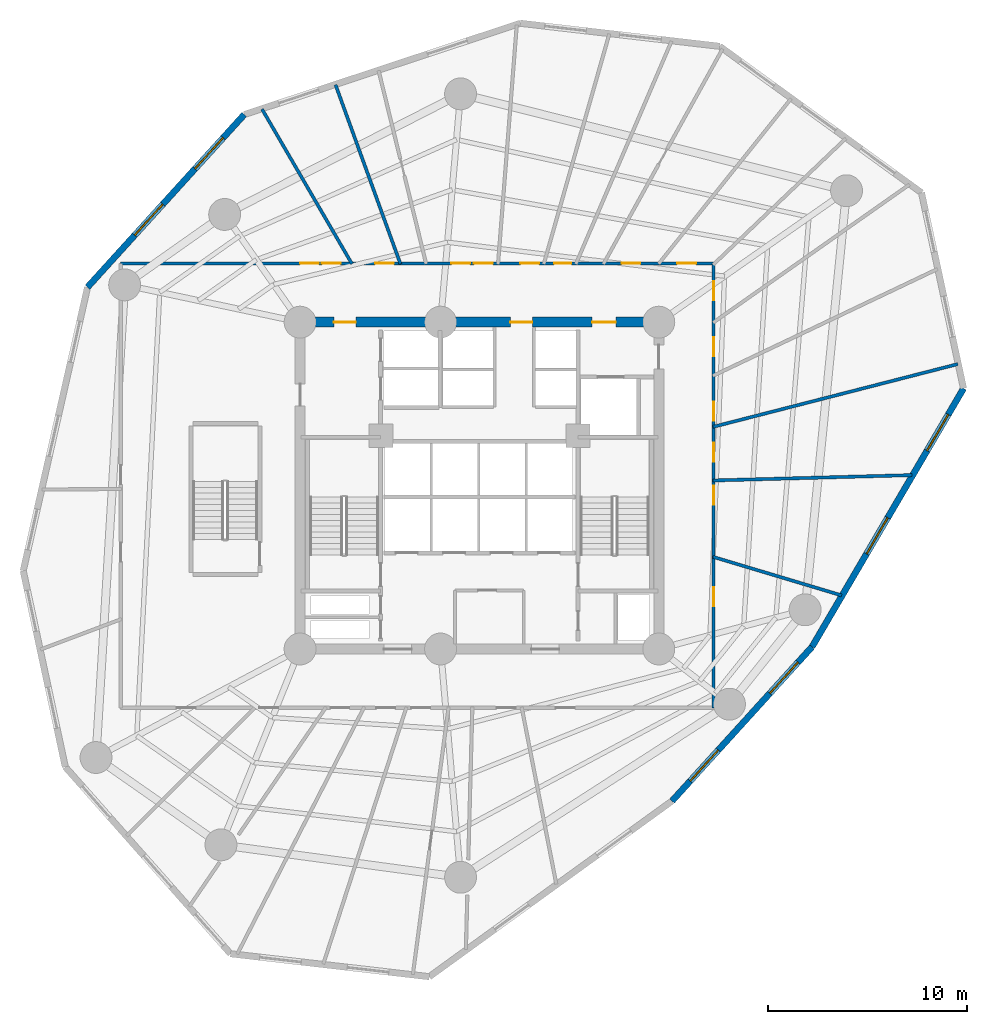
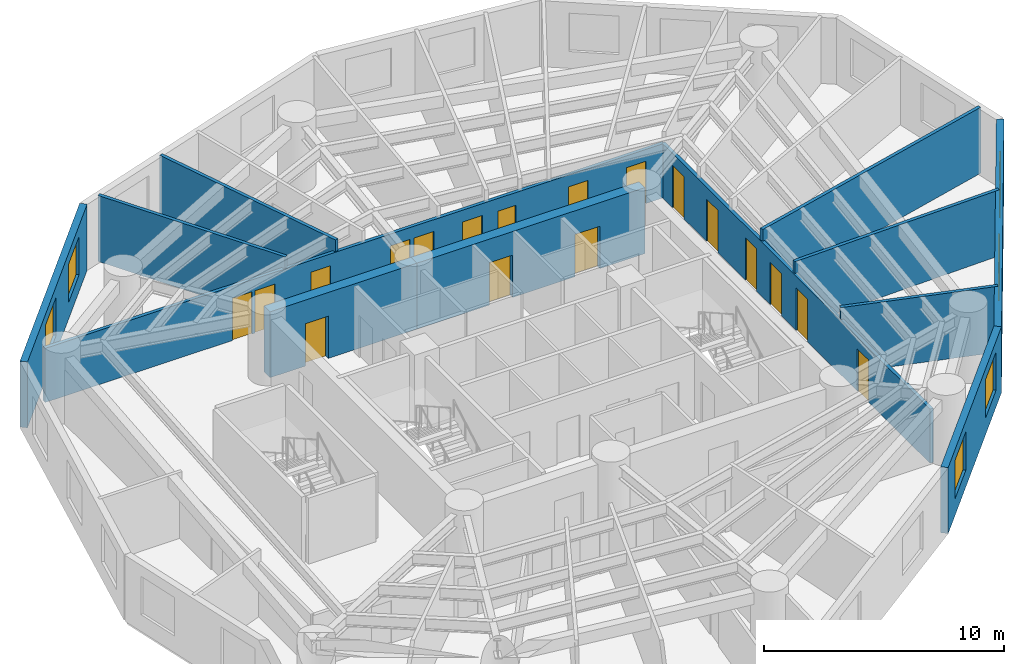
# One storey, part 5 of 7: 18 doors, 12 walls, 6 windows, 24 openings.
"""IFC4 building model written with IfcOpenShell, lengths in metres."""

import ifcopenshell
import ifcopenshell.guid

model = None  # the IFC model being written
_history = None  # IfcOwnerHistory: only IFC2X3 demands one
_inside = {}  # id of a spatial element -> (the spatial element, [elements in it])
_under = {}  # id of a project, library or spatial element -> (it, [spatial elements below it])
_declared = {}  # id of a project -> (the project, [libraries it declares])
_typed = {}  # id of a type object -> (the type object, [elements of that type])
_made_of = {}  # id of a material, layer set ... -> (it, [elements and type objects made of it])


def new_model(schema):
    """Start an empty IFC model of exactly this schema.

    Asked for "IFC4X3", IfcOpenShell would pick the latest addendum, in which some entities
    have other attributes; the version numbers below select the first issue.
    IFC2X3 requires an IfcOwnerHistory on every rooted entity: one is made here for all.
    """
    global model, _history
    if schema == "IFC4X3":
        model = ifcopenshell.file(schema_version=(4, 3, 0, 0))
    else:
        model = ifcopenshell.file(schema=schema)
    _inside.clear()
    _under.clear()
    _declared.clear()
    _typed.clear()
    _made_of.clear()
    _history = None
    if model.schema == "IFC2X3":
        org = make("IfcOrganization", Name="unknown")
        user = make(
            "IfcPersonAndOrganization",
            ThePerson=make("IfcPerson", FamilyName="unknown"),
            TheOrganization=org,
        )
        app = make(
            "IfcApplication",
            ApplicationDeveloper=org,
            Version="unknown",
            ApplicationFullName="unknown",
            ApplicationIdentifier="unknown",
        )
        _history = make(
            "IfcOwnerHistory",
            OwningUser=user,
            OwningApplication=app,
            ChangeAction="ADDED",
            CreationDate=0,
        )
    return model


def make(cls, **values):
    """One entity of the class cls with the attributes given. An attribute that is None is left unset."""
    return model.create_entity(
        cls, **{name: value for name, value in values.items() if value is not None}
    )


def rooted(cls, **values):
    """An entity with a GlobalId (a new one), such as an element, a storey or a relation."""
    return make(cls, GlobalId=ifcopenshell.guid.new(), OwnerHistory=_history, **values)


def si_unit(unit_type, name, prefix=None):
    """IfcSIUnit, for example si_unit("LENGTHUNIT", "METRE", prefix="MILLI")."""
    return make("IfcSIUnit", UnitType=unit_type, Prefix=prefix, Name=name)


def assignment(units):
    """IfcUnitAssignment: the units of a project."""
    return None if units is None else make("IfcUnitAssignment", Units=units)


def point(xyz):
    """IfcCartesianPoint."""
    return None if xyz is None else make("IfcCartesianPoint", Coordinates=xyz)


def direction(xyz):
    """IfcDirection."""
    return None if xyz is None else make("IfcDirection", DirectionRatios=xyz)


def frame(location, z_axis=None, x_axis=None):
    """IfcAxis2Placement3D, a coordinate frame: its origin and axes. An axis left out is left unset."""
    return make(
        "IfcAxis2Placement3D",
        Location=point(location),
        Axis=direction(z_axis),
        RefDirection=direction(x_axis),
    )


def frame_2d(location, x_axis=None):
    """IfcAxis2Placement2D, a coordinate frame in the plane: its origin and x axis."""
    return make(
        "IfcAxis2Placement2D", Location=point(location), RefDirection=direction(x_axis)
    )


def origin():
    """The frame at (0, 0, 0) with its axes left unset."""
    return frame((0.0, 0.0, 0.0))


def origin_with_axes():
    """The frame at (0, 0, 0) with the z axis (0, 0, 1) and the x axis (1, 0, 0) written out."""
    return frame((0.0, 0.0, 0.0), z_axis=(0.0, 0.0, 1.0), x_axis=(1.0, 0.0, 0.0))


def place(relative_to, where):
    """IfcLocalPlacement: puts the frame where relative to a parent placement (None: the world)."""
    return make(
        "IfcLocalPlacement", PlacementRelTo=relative_to, RelativePlacement=where
    )


def context(
    kind, dimensions, precision=None, world=None, true_north=None, identifier=None
):
    """IfcGeometricRepresentationContext, for example the 3D "Model" context."""
    return make(
        "IfcGeometricRepresentationContext",
        ContextIdentifier=identifier,
        ContextType=kind,
        CoordinateSpaceDimension=dimensions,
        Precision=precision,
        WorldCoordinateSystem=world,
        TrueNorth=true_north,
    )


def subcontext(parent, identifier, kind, view, scale=None):
    """IfcGeometricRepresentationSubContext, for example "Body" below "Model"."""
    return make(
        "IfcGeometricRepresentationSubContext",
        ContextIdentifier=identifier,
        ContextType=kind,
        ParentContext=parent,
        TargetScale=scale,
        TargetView=view,
    )


def project(units=None, contexts=None):
    """IfcProject with its units and contexts."""
    return rooted(
        "IfcProject",
        Name="project",
        RepresentationContexts=contexts,
        UnitsInContext=assignment(units),
    )


def spatial(cls, under=None, at=None, **own):
    """A site, building, storey or space (cls), placed at a placement, below another one or the project."""
    s = rooted(cls, ObjectPlacement=at, **own)
    if under is not None:
        _under.setdefault(under.id(), (under, []))[1].append(s)
    return s


def profile(cls, at=None, kind="AREA", **sizes):
    """A parametric profile (cls). Its sizes go by their IFC names, for example OverallWidth=200.0."""
    return make(cls, ProfileType=kind, Position=at, **sizes)


def rectangle(**sizes):
    """IfcRectangleProfileDef."""
    return profile("IfcRectangleProfileDef", **sizes)


def extrude(swept, where, along, depth):
    """IfcExtrudedAreaSolid: the profile swept, set in the frame where, extruded along a direction by depth."""
    return make(
        "IfcExtrudedAreaSolid",
        SweptArea=swept,
        Position=where,
        ExtrudedDirection=direction(along),
        Depth=depth,
    )


def shape(context_of_items, identifier, shape_type, items):
    """IfcShapeRepresentation: the items that make up one representation, for example the "Body"."""
    return make(
        "IfcShapeRepresentation",
        ContextOfItems=context_of_items,
        RepresentationIdentifier=identifier,
        RepresentationType=shape_type,
        Items=items,
    )


def source(mapping_origin, context_of_items, identifier, shape_type, items):
    """IfcRepresentationMap: a shape defined once, which mapped items show again and again."""
    return make(
        "IfcRepresentationMap",
        MappingOrigin=mapping_origin,
        MappedRepresentation=shape(context_of_items, identifier, shape_type, items),
    )


def transform(
    local_origin,
    x_axis=None,
    y_axis=None,
    z_axis=None,
    scale=None,
    scale2=None,
    scale3=None,
    uniform=True,
):
    """IfcCartesianTransformationOperator3D, or its non-uniform kind. x_axis, y_axis, z_axis: its Axis1, 2, 3."""
    if uniform:
        return make(
            "IfcCartesianTransformationOperator3D",
            Axis1=direction(x_axis),
            Axis2=direction(y_axis),
            LocalOrigin=point(local_origin),
            Scale=scale,
            Axis3=direction(z_axis),
        )
    return make(
        "IfcCartesianTransformationOperator3DnonUniform",
        Axis1=direction(x_axis),
        Axis2=direction(y_axis),
        LocalOrigin=point(local_origin),
        Scale=scale,
        Axis3=direction(z_axis),
        Scale2=scale2,
        Scale3=scale3,
    )


def mapped(mapping_source, mapping_target):
    """IfcMappedItem: shows the shape of a source again, moved by a transform."""
    return make(
        "IfcMappedItem", MappingSource=mapping_source, MappingTarget=mapping_target
    )


def material(Name=None, Category=None):
    """IfcMaterial."""
    return make("IfcMaterial", Name=Name, Category=Category)


def layer(
    of_material, thickness, ventilated=None, Name=None, Category=None, Priority=None
):
    """IfcMaterialLayer: one layer of a wall or slab, of a material (None: an air gap)."""
    return make(
        "IfcMaterialLayer",
        Material=of_material,
        LayerThickness=thickness,
        IsVentilated=ventilated,
        Name=Name,
        Category=Category,
        Priority=Priority,
    )


def layer_set(layers, Name=None):
    """IfcMaterialLayerSet."""
    return make("IfcMaterialLayerSet", MaterialLayers=layers, LayerSetName=Name)


def made_of(thing, what):
    """Note that an element or type object is made of a material, layer set ...; save() writes the relation."""
    if what is not None:
        _made_of.setdefault(what.id(), (what, []))[1].append(thing)
    return thing


def type_object(cls, material=None, **own):
    """A type object (cls), such as IfcWallType, which elements share."""
    return made_of(rooted(cls, **own), material)


def element(
    cls,
    number,
    at=None,
    inside=None,
    cuts=None,
    type_object=None,
    material=None,
    context=None,
    identifier="Body",
    shape_type=None,
    held_by="IfcProductDefinitionShape",
    body=None,
    shapes=None,
    **own,
):
    """One element of the class cls, such as IfcWall. Its Tag is "e" and its number.

    at: its placement. inside: the storey or other place that contains it. cuts: it is an
    opening in that element (IfcRelVoidsElement). A single representation is given by context,
    identifier, shape_type and body (its items); several are given by shapes. held_by: the class
    of the entity that holds the representations. save() writes the other relations.
    """
    e = rooted(cls, Tag="e%d" % number, ObjectPlacement=at, **own)
    if body is not None:
        shapes = [shape(context, identifier, shape_type, body)]
    if shapes is not None:
        e.Representation = make(held_by, Representations=shapes)
    if inside is not None:
        _inside.setdefault(inside.id(), (inside, []))[1].append(e)
    if cuts is not None:
        rooted(
            "IfcRelVoidsElement", RelatingBuildingElement=cuts, RelatedOpeningElement=e
        )
    if type_object is not None:
        _typed.setdefault(type_object.id(), (type_object, []))[1].append(e)
    return made_of(e, material)


def fill(opening, filler):
    """IfcRelFillsElement: the door or window that sits in an opening."""
    return rooted(
        "IfcRelFillsElement",
        RelatingOpeningElement=opening,
        RelatedBuildingElement=filler,
    )


def aggregate(whole, parts):
    """IfcRelAggregates: a whole, such as a stair, and the parts it consists of."""
    return rooted("IfcRelAggregates", RelatingObject=whole, RelatedObjects=parts)


def save(model, path):
    """Write the relations noted so far, then the file.

    IfcRelAggregates (storeys below a building ...), IfcRelContainedInSpatialStructure (elements
    in a storey), IfcRelDefinesByType, IfcRelAssociatesMaterial and IfcRelDeclares: one each for
    every whole, place, type object, material and project.
    """
    for whole, parts in _under.values():
        aggregate(whole, parts)
    for where, things in _inside.values():
        rooted(
            "IfcRelContainedInSpatialStructure",
            RelatedElements=things,
            RelatingStructure=where,
        )
    for kind, things in _typed.values():
        rooted("IfcRelDefinesByType", RelatedObjects=things, RelatingType=kind)
    for what, things in _made_of.values():
        rooted("IfcRelAssociatesMaterial", RelatedObjects=things, RelatingMaterial=what)
    for by, libraries in _declared.values():
        rooted("IfcRelDeclares", RelatingContext=by, RelatedDefinitions=libraries)
    model.write(path)


model = new_model("IFC4")

# Units and contexts
model_context = context("Model", 3, precision=1e-05, world=origin(), true_north=direction((0.0, 1.0)))
body_context = subcontext(model_context, "Body", "Model", "MODEL_VIEW")
ifc_project = project(units=[si_unit("LENGTHUNIT", "METRE"), si_unit("AREAUNIT", "SQUARE_METRE"), si_unit("VOLUMEUNIT", "CUBIC_METRE"), si_unit("PLANEANGLEUNIT", "RADIAN"), si_unit("MASSUNIT", "GRAM", prefix="KILO")], contexts=[model_context])

# Site, building, storey
site_placement = place(None, origin())
site = spatial("IfcSite", under=ifc_project, at=site_placement, CompositionType="ELEMENT")
building_placement = place(site_placement, origin())
building = spatial("IfcBuilding", under=site, at=building_placement, Name="Karkom Vertical University and Central Library", CompositionType="ELEMENT")
storey_placement = place(building_placement, frame((0.0, 0.0, 80.5)))
storey = spatial("IfcBuildingStorey", under=building, at=storey_placement, Name="L21", CompositionType="ELEMENT", Elevation=80.5)

# Wall, openings, windows
ifc_material_1 = material(Name="Brick-faced precast concrete C45/55", Category="masonry")
ifc_layer_1 = layer(ifc_material_1, 0.320068359375)
ifc_layer_set_1 = layer_set([ifc_layer_1], Name="Brick-faced precast concrete C45/55")
wall_type_1 = type_object("IfcWallType", Name="ENV-WL-BRK-320", PredefinedType="SOLIDWALL", material=ifc_layer_set_1)
wall_1_placement = place(storey_placement, frame((16.7001953125, 45.12158203125, 0.0), z_axis=(0.0, 0.0, 1.0), x_axis=(-0.672245062505, -0.740328694525, 0.0)))
wall_1 = element("IfcWall", 1, at=wall_1_placement, inside=storey, type_object=wall_type_1, Name="Level 21 Brick-Faced Precast Facade Wall 01", PredefinedType="SOLIDWALL", context=body_context, shape_type="SweptSolid", body=[
    extrude(rectangle(XDim=11.7080078125, YDim=0.320068359375, at=frame_2d((5.85400390625, 0.0))), origin(), (0.0, 0.0, 1.0), 3.35009765625),
])
opening_1_placement = place(wall_1_placement, frame((1.579833984375, 0.0, 0.85009765625)))
opening_1 = element("IfcOpeningElement", 2, at=opening_1_placement, cuts=wall_1, Name="Opening WN-03", PredefinedType="OPENING", context=body_context, shape_type="SweptSolid", body=[
    extrude(rectangle(XDim=2.10009765625, YDim=1.949951171875, at=frame_2d((1.050048828125, 0.97509765625))), frame((0.0, 0.169921875, 0.0), z_axis=(0.0, -1.0, 0.0), x_axis=(1.0, 0.0, 0.0)), (0.0, 0.0, 1.0), 0.340087890625),
])
opening_2_placement = place(wall_1_placement, frame((6.07958984375, 0.0, 0.85009765625)))
opening_2 = element("IfcOpeningElement", 3, at=opening_2_placement, cuts=wall_1, Name="Opening WN-03", PredefinedType="OPENING", context=body_context, shape_type="SweptSolid", body=[
    extrude(rectangle(XDim=2.10009765625, YDim=1.949951171875, at=frame_2d((1.050048828125, 0.97509765625))), frame((0.0, 0.169921875, 0.0), z_axis=(0.0, -1.0, 0.0), x_axis=(1.0, 0.0, 0.0)), (0.0, 0.0, 1.0), 0.340087890625),
])
ifc_material_2 = material(Name="Aluminium thermal-break frame with solar-control IGU", Category="aluminium")
window_type = type_object("IfcWindowType", Name="ENV-WIN-WN-03", PartitioningType="SINGLE_PANEL", PredefinedType="WINDOW", material=ifc_material_2)
shared_shape_1 = source(origin_with_axes(), body_context, "Body", "SweptSolid", [
    extrude(rectangle(XDim=2.10009765625, YDim=1.949951171875, at=frame_2d((1.050048828125, 0.97509765625))), frame((0.0, 0.030029296875, 0.0), z_axis=(0.0, -1.0, 0.0), x_axis=(1.0, 0.0, 0.0)), (0.0, 0.0, 1.0), 0.06005859375),
])
window_1_placement = place(opening_1_placement, origin())
window_1 = element("IfcWindow", 4, at=window_1_placement, inside=storey, type_object=window_type, Name="Level 21 Punched Window 1.1", OverallHeight=1.949951171875, OverallWidth=2.10009765625, PartitioningType="SINGLE_PANEL", PredefinedType="WINDOW", context=body_context, shape_type="MappedRepresentation", body=[
    mapped(shared_shape_1, transform((0.0, 0.0, 0.0), scale=1.0)),
])
fill(opening_1, window_1)
window_2_placement = place(opening_2_placement, origin())
window_2 = element("IfcWindow", 5, at=window_2_placement, inside=storey, type_object=window_type, Name="Level 21 Punched Window 1.2", OverallHeight=1.949951171875, OverallWidth=2.10009765625, PartitioningType="SINGLE_PANEL", PredefinedType="WINDOW", context=body_context, shape_type="MappedRepresentation", body=[
    mapped(shared_shape_1, transform((0.0, 0.0, 0.0), scale=1.0)),
])
fill(opening_2, window_2)

wall_2_placement = place(storey_placement, frame((38.161865234375, 10.667236328125, 0.0), z_axis=(0.0, 0.0, 1.0), x_axis=(0.672233243832, 0.740339426133, 0.0)))
wall_2 = element("IfcWall", 6, at=wall_2_placement, inside=storey, type_object=wall_type_1, Name="Level 21 Brick-Faced Precast Facade Wall 07", PredefinedType="SOLIDWALL", context=body_context, shape_type="SweptSolid", body=[
    extrude(rectangle(XDim=10.452880859375, YDim=0.320068359375, at=frame_2d((5.2265625, 0.0))), origin(), (0.0, 0.0, 1.0), 3.35009765625),
])
opening_3_placement = place(wall_2_placement, frame((1.359619140625, 0.0, 0.85009765625)))
opening_3 = element("IfcOpeningElement", 7, at=opening_3_placement, cuts=wall_2, Name="Opening WN-03", PredefinedType="OPENING", context=body_context, shape_type="SweptSolid", body=[
    extrude(rectangle(XDim=2.10009765625, YDim=1.949951171875, at=frame_2d((1.050048828125, 0.97509765625))), frame((0.0, 0.169921875, 0.0), z_axis=(0.0, -1.0, 0.0), x_axis=(1.0, 0.0, 0.0)), (0.0, 0.0, 1.0), 0.340087890625),
])
opening_4_placement = place(wall_2_placement, frame((7.305908203125, 0.0, 0.85009765625)))
opening_4 = element("IfcOpeningElement", 8, at=opening_4_placement, cuts=wall_2, Name="Opening WN-03", PredefinedType="OPENING", context=body_context, shape_type="SweptSolid", body=[
    extrude(rectangle(XDim=2.10009765625, YDim=1.949951171875, at=frame_2d((1.050048828125, 0.97509765625))), frame((0.0, 0.169921875, 0.0), z_axis=(0.0, -1.0, 0.0), x_axis=(1.0, 0.0, 0.0)), (0.0, 0.0, 1.0), 0.340087890625),
])
window_3_placement = place(opening_3_placement, origin())
window_3 = element("IfcWindow", 9, at=window_3_placement, inside=storey, type_object=window_type, Name="Level 21 Punched Window 7.1", OverallHeight=1.949951171875, OverallWidth=2.10009765625, PartitioningType="SINGLE_PANEL", PredefinedType="WINDOW", context=body_context, shape_type="MappedRepresentation", body=[
    mapped(shared_shape_1, transform((0.0, 0.0, 0.0), scale=1.0)),
])
fill(opening_3, window_3)
window_4_placement = place(opening_4_placement, origin())
window_4 = element("IfcWindow", 10, at=window_4_placement, inside=storey, type_object=window_type, Name="Level 21 Punched Window 7.2", OverallHeight=1.949951171875, OverallWidth=2.10009765625, PartitioningType="SINGLE_PANEL", PredefinedType="WINDOW", context=body_context, shape_type="MappedRepresentation", body=[
    mapped(shared_shape_1, transform((0.0, 0.0, 0.0), scale=1.0)),
])
fill(opening_4, window_4)

wall_3_placement = place(storey_placement, frame((45.188720703125, 18.406005859375, 0.0), z_axis=(0.0, 0.0, 1.0), x_axis=(0.505813260317, 0.862643000139, 0.0)))
wall_3 = element("IfcWall", 11, at=wall_3_placement, inside=storey, type_object=wall_type_1, Name="Level 21 Brick-Faced Precast Facade Wall 08", PredefinedType="SOLIDWALL", context=body_context, shape_type="SweptSolid", body=[
    extrude(rectangle(XDim=15.03515625, YDim=0.320068359375, at=frame_2d((7.517578125, 0.0))), origin(), (0.0, 0.0, 1.0), 3.35009765625),
])
opening_5_placement = place(wall_3_placement, frame((5.41162109375, 0.0, 0.85009765625)))
opening_5 = element("IfcOpeningElement", 12, at=opening_5_placement, cuts=wall_3, Name="Opening WN-03", PredefinedType="OPENING", context=body_context, shape_type="SweptSolid", body=[
    extrude(rectangle(XDim=2.10009765625, YDim=1.949951171875, at=frame_2d((1.050048828125, 0.97509765625))), frame((0.0, 0.169921875, 0.0), z_axis=(0.0, -1.0, 0.0), x_axis=(1.0, 0.0, 0.0)), (0.0, 0.0, 1.0), 0.340087890625),
])
opening_6_placement = place(wall_3_placement, frame((11.413818359375, 0.0, 0.85009765625)))
opening_6 = element("IfcOpeningElement", 13, at=opening_6_placement, cuts=wall_3, Name="Opening WN-03", PredefinedType="OPENING", context=body_context, shape_type="SweptSolid", body=[
    extrude(rectangle(XDim=2.10009765625, YDim=1.949951171875, at=frame_2d((1.050048828125, 0.97509765625))), frame((0.0, 0.169921875, 0.0), z_axis=(0.0, -1.0, 0.0), x_axis=(1.0, 0.0, 0.0)), (0.0, 0.0, 1.0), 0.340087890625),
])
window_5_placement = place(opening_5_placement, origin())
window_5 = element("IfcWindow", 14, at=window_5_placement, inside=storey, type_object=window_type, Name="Level 21 Punched Window 8.1", OverallHeight=1.949951171875, OverallWidth=2.10009765625, PartitioningType="SINGLE_PANEL", PredefinedType="WINDOW", context=body_context, shape_type="MappedRepresentation", body=[
    mapped(shared_shape_1, transform((0.0, 0.0, 0.0), scale=1.0)),
])
fill(opening_5, window_5)
window_6_placement = place(opening_6_placement, origin())
window_6 = element("IfcWindow", 15, at=window_6_placement, inside=storey, type_object=window_type, Name="Level 21 Punched Window 8.2", OverallHeight=1.949951171875, OverallWidth=2.10009765625, PartitioningType="SINGLE_PANEL", PredefinedType="WINDOW", context=body_context, shape_type="MappedRepresentation", body=[
    mapped(shared_shape_1, transform((0.0, 0.0, 0.0), scale=1.0)),
])
fill(opening_6, window_6)

# Wall, openings, doors
ifc_material_3 = material(Name="Insulated metal-stud drywall 160mm", Category="gypsum")
ifc_layer_2 = layer(ifc_material_3, 0.159912109375)
ifc_layer_set_2 = layer_set([ifc_layer_2], Name="Insulated metal-stud drywall 160mm")
wall_type_2 = type_object("IfcWallType", Name="INT-WL-COR-160", PredefinedType="PARTITIONING", material=ifc_layer_set_2)
wall_4_placement = place(storey_placement, frame((10.5, 37.64990234375, 0.0), z_axis=(0.0, 0.0, 1.0), x_axis=(1.0, 0.0, 0.0)))
wall_4 = element("IfcWall", 16, at=wall_4_placement, inside=storey, type_object=wall_type_2, Name="Level 21 Interior Partition Wall L21-CORW-CW-003", PredefinedType="PARTITIONING", context=body_context, shape_type="SweptSolid", body=[
    extrude(rectangle(XDim=29.75, YDim=0.159912109375, at=frame_2d((14.875, 0.0))), origin(), (0.0, 0.0, 1.0), 2.75),
])
opening_7_placement = place(wall_4_placement, frame((27.918212890625, 0.0, 0.0)))
opening_7 = element("IfcOpeningElement", 17, at=opening_7_placement, cuts=wall_4, Name="Opening D-RM1", PredefinedType="OPENING", context=body_context, shape_type="SweptSolid", body=[
    extrude(rectangle(XDim=0.949951171875, YDim=2.14990234375, at=frame_2d((0.47509765625, 1.074951171875))), frame((0.0, 0.08984375, 0.0), z_axis=(0.0, -1.0, 0.0), x_axis=(1.0, 0.0, 0.0)), (0.0, 0.0, 1.0), 0.179931640625),
])
opening_8_placement = place(wall_4_placement, frame((25.129150390625, 0.0, 0.0)))
opening_8 = element("IfcOpeningElement", 18, at=opening_8_placement, cuts=wall_4, Name="Opening D-RM1", PredefinedType="OPENING", context=body_context, shape_type="SweptSolid", body=[
    extrude(rectangle(XDim=0.949951171875, YDim=2.14990234375, at=frame_2d((0.47509765625, 1.074951171875))), frame((0.0, 0.08984375, 0.0), z_axis=(0.0, -1.0, 0.0), x_axis=(1.0, 0.0, 0.0)), (0.0, 0.0, 1.0), 0.179931640625),
])
opening_9_placement = place(wall_4_placement, frame((21.74755859375, 0.0, 0.0)))
opening_9 = element("IfcOpeningElement", 19, at=opening_9_placement, cuts=wall_4, Name="Opening D-BATH", PredefinedType="OPENING", context=body_context, shape_type="SweptSolid", body=[
    extrude(rectangle(XDim=0.860107421875, YDim=2.10009765625, at=frame_2d((0.43017578125, 1.050048828125))), frame((0.0, 0.08984375, 0.0), z_axis=(0.0, -1.0, 0.0), x_axis=(1.0, 0.0, 0.0)), (0.0, 0.0, 1.0), 0.179931640625),
])
opening_10_placement = place(wall_4_placement, frame((20.047607421875, 0.0, 0.0)))
opening_10 = element("IfcOpeningElement", 20, at=opening_10_placement, cuts=wall_4, Name="Opening D-RM1", PredefinedType="OPENING", context=body_context, shape_type="SweptSolid", body=[
    extrude(rectangle(XDim=0.949951171875, YDim=2.14990234375, at=frame_2d((0.47509765625, 1.074951171875))), frame((0.0, 0.08984375, 0.0), z_axis=(0.0, -1.0, 0.0), x_axis=(1.0, 0.0, 0.0)), (0.0, 0.0, 1.0), 0.179931640625),
])
opening_11_placement = place(wall_4_placement, frame((17.722412109375, 0.0, 0.0)))
opening_11 = element("IfcOpeningElement", 21, at=opening_11_placement, cuts=wall_4, Name="Opening D-RM1", PredefinedType="OPENING", context=body_context, shape_type="SweptSolid", body=[
    extrude(rectangle(XDim=0.949951171875, YDim=2.14990234375, at=frame_2d((0.47509765625, 1.074951171875))), frame((0.0, 0.08984375, 0.0), z_axis=(0.0, -1.0, 0.0), x_axis=(1.0, 0.0, 0.0)), (0.0, 0.0, 1.0), 0.179931640625),
])
opening_12_placement = place(wall_4_placement, frame((16.585205078125, 0.0, 0.0)))
opening_12 = element("IfcOpeningElement", 22, at=opening_12_placement, cuts=wall_4, Name="Opening D-RM1", PredefinedType="OPENING", context=body_context, shape_type="SweptSolid", body=[
    extrude(rectangle(XDim=0.949951171875, YDim=2.14990234375, at=frame_2d((0.47509765625, 1.074951171875))), frame((0.0, 0.08984375, 0.0), z_axis=(0.0, -1.0, 0.0), x_axis=(1.0, 0.0, 0.0)), (0.0, 0.0, 1.0), 0.179931640625),
])
opening_13_placement = place(wall_4_placement, frame((12.760009765625, 0.0, 0.0)))
opening_13 = element("IfcOpeningElement", 23, at=opening_13_placement, cuts=wall_4, Name="Opening D-RM1", PredefinedType="OPENING", context=body_context, shape_type="SweptSolid", body=[
    extrude(rectangle(XDim=0.949951171875, YDim=2.14990234375, at=frame_2d((0.47509765625, 1.074951171875))), frame((0.0, 0.08984375, 0.0), z_axis=(0.0, -1.0, 0.0), x_axis=(1.0, 0.0, 0.0)), (0.0, 0.0, 1.0), 0.179931640625),
])
opening_14_placement = place(wall_4_placement, frame((10.090087890625, 0.0, 0.0)))
opening_14 = element("IfcOpeningElement", 24, at=opening_14_placement, cuts=wall_4, Name="Opening D-RM1", PredefinedType="OPENING", context=body_context, shape_type="SweptSolid", body=[
    extrude(rectangle(XDim=0.949951171875, YDim=2.14990234375, at=frame_2d((0.47509765625, 1.074951171875))), frame((0.0, 0.08984375, 0.0), z_axis=(0.0, -1.0, 0.0), x_axis=(1.0, 0.0, 0.0)), (0.0, 0.0, 1.0), 0.179931640625),
])
opening_15_placement = place(wall_4_placement, frame((8.99755859375, 0.0, 0.0)))
opening_15 = element("IfcOpeningElement", 25, at=opening_15_placement, cuts=wall_4, Name="Opening D-RM1", PredefinedType="OPENING", context=body_context, shape_type="SweptSolid", body=[
    extrude(rectangle(XDim=0.949951171875, YDim=2.14990234375, at=frame_2d((0.47509765625, 1.074951171875))), frame((0.0, 0.08984375, 0.0), z_axis=(0.0, -1.0, 0.0), x_axis=(1.0, 0.0, 0.0)), (0.0, 0.0, 1.0), 0.179931640625),
])
ifc_material_4 = material(Name="Moisture-resistant oak door", Category="wood")
door_type_1 = type_object("IfcDoorType", Name="INT-DR-BATH", OperationType="NOTDEFINED", PredefinedType="DOOR", material=ifc_material_4)
shared_shape_2 = source(origin_with_axes(), body_context, "Body", "SweptSolid", [
    extrude(rectangle(XDim=0.860107421875, YDim=2.10009765625, at=frame_2d((0.43017578125, 1.050048828125))), frame((0.0, 0.02490234375, 0.0), z_axis=(0.0, -1.0, 0.0), x_axis=(1.0, 0.0, 0.0)), (0.0, 0.0, 1.0), 0.050048828125),
])
door_1_placement = place(opening_9_placement, origin())
door_1 = element("IfcDoor", 26, at=door_1_placement, inside=storey, type_object=door_type_1, Name="Level 21 Room Entry Door 170", OperationType="SINGLE_SWING_LEFT", OverallHeight=2.10009765625, OverallWidth=0.860107421875, PredefinedType="DOOR", context=body_context, shape_type="MappedRepresentation", body=[
    mapped(shared_shape_2, transform((0.0, 0.0, 0.0), scale=1.0)),
])
fill(opening_9, door_1)
ifc_material_5 = material(Name="Solid-core oak veneer door", Category="wood")
door_type_2 = type_object("IfcDoorType", Name="INT-DR-RM1", OperationType="NOTDEFINED", PredefinedType="DOOR", material=ifc_material_5)
shared_shape_3 = source(origin_with_axes(), body_context, "Body", "SweptSolid", [
    extrude(rectangle(XDim=0.949951171875, YDim=2.14990234375, at=frame_2d((0.47509765625, 1.074951171875))), frame((0.0, 0.02490234375, 0.0), z_axis=(0.0, -1.0, 0.0), x_axis=(1.0, 0.0, 0.0)), (0.0, 0.0, 1.0), 0.050048828125),
])
door_2_placement = place(opening_7_placement, origin())
door_2 = element("IfcDoor", 27, at=door_2_placement, inside=storey, type_object=door_type_2, Name="Level 21 Room Entry Door 150", OperationType="SINGLE_SWING_LEFT", OverallHeight=2.14990234375, OverallWidth=0.949951171875, PredefinedType="DOOR", context=body_context, shape_type="MappedRepresentation", body=[
    mapped(shared_shape_3, transform((0.0, 0.0, 0.0), scale=1.0)),
])
fill(opening_7, door_2)
door_3_placement = place(opening_8_placement, origin())
door_3 = element("IfcDoor", 28, at=door_3_placement, inside=storey, type_object=door_type_2, Name="Level 21 Room Entry Door 160", OperationType="SINGLE_SWING_RIGHT", OverallHeight=2.14990234375, OverallWidth=0.949951171875, PredefinedType="DOOR", context=body_context, shape_type="MappedRepresentation", body=[
    mapped(shared_shape_3, transform((0.0, 0.0, 0.0), scale=1.0)),
])
fill(opening_8, door_3)
door_4_placement = place(opening_10_placement, origin())
door_4 = element("IfcDoor", 29, at=door_4_placement, inside=storey, type_object=door_type_2, Name="Level 21 Room Entry Door 180", OperationType="SINGLE_SWING_RIGHT", OverallHeight=2.14990234375, OverallWidth=0.949951171875, PredefinedType="DOOR", context=body_context, shape_type="MappedRepresentation", body=[
    mapped(shared_shape_3, transform((0.0, 0.0, 0.0), scale=1.0)),
])
fill(opening_10, door_4)
door_5_placement = place(opening_11_placement, origin())
door_5 = element("IfcDoor", 30, at=door_5_placement, inside=storey, type_object=door_type_2, Name="Level 21 Room Entry Door 190", OperationType="SINGLE_SWING_LEFT", OverallHeight=2.14990234375, OverallWidth=0.949951171875, PredefinedType="DOOR", context=body_context, shape_type="MappedRepresentation", body=[
    mapped(shared_shape_3, transform((0.0, 0.0, 0.0), scale=1.0)),
])
fill(opening_11, door_5)
door_6_placement = place(opening_12_placement, origin())
door_6 = element("IfcDoor", 31, at=door_6_placement, inside=storey, type_object=door_type_2, Name="Level 21 Room Entry Door 200", OperationType="SINGLE_SWING_RIGHT", OverallHeight=2.14990234375, OverallWidth=0.949951171875, PredefinedType="DOOR", context=body_context, shape_type="MappedRepresentation", body=[
    mapped(shared_shape_3, transform((0.0, 0.0, 0.0), scale=1.0)),
])
fill(opening_12, door_6)
door_7_placement = place(opening_13_placement, origin())
door_7 = element("IfcDoor", 32, at=door_7_placement, inside=storey, type_object=door_type_2, Name="Level 21 Room Entry Door 210", OperationType="SINGLE_SWING_LEFT", OverallHeight=2.14990234375, OverallWidth=0.949951171875, PredefinedType="DOOR", context=body_context, shape_type="MappedRepresentation", body=[
    mapped(shared_shape_3, transform((0.0, 0.0, 0.0), scale=1.0)),
])
fill(opening_13, door_7)
door_8_placement = place(opening_14_placement, origin())
door_8 = element("IfcDoor", 33, at=door_8_placement, inside=storey, type_object=door_type_2, Name="Level 21 Room Entry Door 220", OperationType="SINGLE_SWING_RIGHT", OverallHeight=2.14990234375, OverallWidth=0.949951171875, PredefinedType="DOOR", context=body_context, shape_type="MappedRepresentation", body=[
    mapped(shared_shape_3, transform((0.0, 0.0, 0.0), scale=1.0)),
])
fill(opening_14, door_8)
door_9_placement = place(opening_15_placement, origin())
door_9 = element("IfcDoor", 34, at=door_9_placement, inside=storey, type_object=door_type_2, Name="Level 21 Room Entry Door 230", OperationType="SINGLE_SWING_LEFT", OverallHeight=2.14990234375, OverallWidth=0.949951171875, PredefinedType="DOOR", context=body_context, shape_type="MappedRepresentation", body=[
    mapped(shared_shape_3, transform((0.0, 0.0, 0.0), scale=1.0)),
])
fill(opening_15, door_9)

wall_5_placement = place(storey_placement, frame((40.25, 37.64990234375, 0.0), z_axis=(0.0, 0.0, 1.0), x_axis=(0.0, -1.0, 0.0)))
wall_5 = element("IfcWall", 35, at=wall_5_placement, inside=storey, type_object=wall_type_2, Name="Level 21 Interior Partition Wall L21-CORW-CW-004", PredefinedType="PARTITIONING", context=body_context, shape_type="SweptSolid", body=[
    extrude(rectangle(XDim=22.2998046875, YDim=0.159912109375, at=frame_2d((11.14990234375, 0.0))), origin(), (0.0, 0.0, 1.0), 2.75),
])
opening_16_placement = place(wall_5_placement, frame((16.25, 0.0, 0.0)))
opening_16 = element("IfcOpeningElement", 36, at=opening_16_placement, cuts=wall_5, Name="Opening D-RM1", PredefinedType="OPENING", context=body_context, shape_type="SweptSolid", body=[
    extrude(rectangle(XDim=0.949951171875, YDim=2.14990234375, at=frame_2d((0.47509765625, 1.074951171875))), frame((0.0, 0.08984375, 0.0), z_axis=(0.0, -1.0, 0.0), x_axis=(1.0, 0.0, 0.0)), (0.0, 0.0, 1.0), 0.179931640625),
])
opening_17_placement = place(wall_5_placement, frame((11.1650390625, 0.0, 0.0)))
opening_17 = element("IfcOpeningElement", 37, at=opening_17_placement, cuts=wall_5, Name="Opening D-RM1", PredefinedType="OPENING", context=body_context, shape_type="SweptSolid", body=[
    extrude(rectangle(XDim=0.949951171875, YDim=2.14990234375, at=frame_2d((0.47509765625, 1.074951171875))), frame((0.0, 0.08984375, 0.0), z_axis=(0.0, -1.0, 0.0), x_axis=(1.0, 0.0, 0.0)), (0.0, 0.0, 1.0), 0.179931640625),
])
opening_18_placement = place(wall_5_placement, frame((8.998779296875, 0.0, 0.0)))
opening_18 = element("IfcOpeningElement", 38, at=opening_18_placement, cuts=wall_5, Name="Opening D-RM1", PredefinedType="OPENING", context=body_context, shape_type="SweptSolid", body=[
    extrude(rectangle(XDim=0.949951171875, YDim=2.14990234375, at=frame_2d((0.47509765625, 1.074951171875))), frame((0.0, 0.08984375, 0.0), z_axis=(0.0, -1.0, 0.0), x_axis=(1.0, 0.0, 0.0)), (0.0, 0.0, 1.0), 0.179931640625),
])
opening_19_placement = place(wall_5_placement, frame((6.93994140625, 0.0, 0.0)))
opening_19 = element("IfcOpeningElement", 39, at=opening_19_placement, cuts=wall_5, Name="Opening D-RM1", PredefinedType="OPENING", context=body_context, shape_type="SweptSolid", body=[
    extrude(rectangle(XDim=0.949951171875, YDim=2.14990234375, at=frame_2d((0.47509765625, 1.074951171875))), frame((0.0, 0.08984375, 0.0), z_axis=(0.0, -1.0, 0.0), x_axis=(1.0, 0.0, 0.0)), (0.0, 0.0, 1.0), 0.179931640625),
])
opening_20_placement = place(wall_5_placement, frame((3.703369140625, 0.0, 0.0)))
opening_20 = element("IfcOpeningElement", 40, at=opening_20_placement, cuts=wall_5, Name="Opening D-RM1", PredefinedType="OPENING", context=body_context, shape_type="SweptSolid", body=[
    extrude(rectangle(XDim=0.949951171875, YDim=2.14990234375, at=frame_2d((0.47509765625, 1.074951171875))), frame((0.0, 0.08984375, 0.0), z_axis=(0.0, -1.0, 0.0), x_axis=(1.0, 0.0, 0.0)), (0.0, 0.0, 1.0), 0.179931640625),
])
opening_21_placement = place(wall_5_placement, frame((0.8876953125, 0.0, 0.0)))
opening_21 = element("IfcOpeningElement", 41, at=opening_21_placement, cuts=wall_5, Name="Opening D-RM1", PredefinedType="OPENING", context=body_context, shape_type="SweptSolid", body=[
    extrude(rectangle(XDim=0.949951171875, YDim=2.14990234375, at=frame_2d((0.47509765625, 1.074951171875))), frame((0.0, 0.08984375, 0.0), z_axis=(0.0, -1.0, 0.0), x_axis=(1.0, 0.0, 0.0)), (0.0, 0.0, 1.0), 0.179931640625),
])
door_10_placement = place(opening_16_placement, origin())
door_10 = element("IfcDoor", 42, at=door_10_placement, inside=storey, type_object=door_type_2, Name="Level 21 Room Entry Door 090", OperationType="SINGLE_SWING_LEFT", OverallHeight=2.14990234375, OverallWidth=0.949951171875, PredefinedType="DOOR", context=body_context, shape_type="MappedRepresentation", body=[
    mapped(shared_shape_3, transform((0.0, 0.0, 0.0), scale=1.0)),
])
fill(opening_16, door_10)
door_11_placement = place(opening_17_placement, origin())
door_11 = element("IfcDoor", 43, at=door_11_placement, inside=storey, type_object=door_type_2, Name="Level 21 Room Entry Door 100", OperationType="SINGLE_SWING_RIGHT", OverallHeight=2.14990234375, OverallWidth=0.949951171875, PredefinedType="DOOR", context=body_context, shape_type="MappedRepresentation", body=[
    mapped(shared_shape_3, transform((0.0, 0.0, 0.0), scale=1.0)),
])
fill(opening_17, door_11)
door_12_placement = place(opening_18_placement, origin())
door_12 = element("IfcDoor", 44, at=door_12_placement, inside=storey, type_object=door_type_2, Name="Level 21 Room Entry Door 110", OperationType="SINGLE_SWING_LEFT", OverallHeight=2.14990234375, OverallWidth=0.949951171875, PredefinedType="DOOR", context=body_context, shape_type="MappedRepresentation", body=[
    mapped(shared_shape_3, transform((0.0, 0.0, 0.0), scale=1.0)),
])
fill(opening_18, door_12)
door_13_placement = place(opening_19_placement, origin())
door_13 = element("IfcDoor", 45, at=door_13_placement, inside=storey, type_object=door_type_2, Name="Level 21 Room Entry Door 120", OperationType="SINGLE_SWING_RIGHT", OverallHeight=2.14990234375, OverallWidth=0.949951171875, PredefinedType="DOOR", context=body_context, shape_type="MappedRepresentation", body=[
    mapped(shared_shape_3, transform((0.0, 0.0, 0.0), scale=1.0)),
])
fill(opening_19, door_13)
door_14_placement = place(opening_20_placement, origin())
door_14 = element("IfcDoor", 46, at=door_14_placement, inside=storey, type_object=door_type_2, Name="Level 21 Room Entry Door 130", OperationType="SINGLE_SWING_LEFT", OverallHeight=2.14990234375, OverallWidth=0.949951171875, PredefinedType="DOOR", context=body_context, shape_type="MappedRepresentation", body=[
    mapped(shared_shape_3, transform((0.0, 0.0, 0.0), scale=1.0)),
])
fill(opening_20, door_14)
door_15_placement = place(opening_21_placement, origin())
door_15 = element("IfcDoor", 47, at=door_15_placement, inside=storey, type_object=door_type_2, Name="Level 21 Room Entry Door 140", OperationType="SINGLE_SWING_RIGHT", OverallHeight=2.14990234375, OverallWidth=0.949951171875, PredefinedType="DOOR", context=body_context, shape_type="MappedRepresentation", body=[
    mapped(shared_shape_3, transform((0.0, 0.0, 0.0), scale=1.0)),
])
fill(opening_21, door_15)

# Walls
wall_6_placement = place(storey_placement, frame((40.220947265625, 29.4453125, 0.0), z_axis=(0.0, 0.0, 1.0), x_axis=(0.968629419202, 0.248509654251, 0.0)))
element("IfcWall", 48, at=wall_6_placement, inside=storey, type_object=wall_type_2, Name="Level 21 Interior Partition Wall L21-PW-014", PredefinedType="PARTITIONING", context=body_context, shape_type="SweptSolid", body=[
    extrude(rectangle(XDim=12.68310546875, YDim=0.159912109375, at=frame_2d((6.341552734375, 0.0))), origin(), (0.0, 0.0, 1.0), 3.35009765625),
])
wall_7_placement = place(storey_placement, frame((40.219970703125, 26.755859375, 0.0), z_axis=(0.0, 0.0, 1.0), x_axis=(0.999636983666, 0.0269425479, 0.0)))
element("IfcWall", 49, at=wall_7_placement, inside=storey, type_object=wall_type_2, Name="Level 21 Interior Partition Wall L21-PW-013", PredefinedType="PARTITIONING", context=body_context, shape_type="SweptSolid", body=[
    extrude(rectangle(XDim=9.98583984375, YDim=0.159912109375, at=frame_2d((4.992919921875, 0.0))), origin(), (0.0, 0.0, 1.0), 3.35009765625),
])
wall_8_placement = place(storey_placement, frame((24.535400390625, 37.621826171875, 0.0), z_axis=(0.0, 0.0, 1.0), x_axis=(-0.340571886527, 0.940218479986, 0.0)))
element("IfcWall", 50, at=wall_8_placement, inside=storey, type_object=wall_type_2, Name="Level 21 Interior Partition Wall L21-PW-024", PredefinedType="PARTITIONING", context=body_context, shape_type="SweptSolid", body=[
    extrude(rectangle(XDim=9.559326171875, YDim=0.159912109375, at=frame_2d((4.77978515625, 0.0))), origin(), (0.0, 0.0, 1.0), 3.35009765625),
])
wall_9_placement = place(storey_placement, frame((22.103515625, 37.6240234375, 0.0), z_axis=(0.0, 0.0, 1.0), x_axis=(-0.502548635293, 0.864548939716, 0.0)))
element("IfcWall", 51, at=wall_9_placement, inside=storey, type_object=wall_type_2, Name="Level 21 Interior Partition Wall L21-PW-025", PredefinedType="PARTITIONING", context=body_context, shape_type="SweptSolid", body=[
    extrude(rectangle(XDim=8.98046875, YDim=0.159912109375, at=frame_2d((4.490234375, 0.0))), origin(), (0.0, 0.0, 1.0), 3.35009765625),
])
wall_10_placement = place(storey_placement, frame((40.22119140625, 22.92333984375, 0.0), z_axis=(0.0, 0.0, 1.0), x_axis=(0.957888121995, -0.287141682346, 0.0)))
element("IfcWall", 52, at=wall_10_placement, inside=storey, type_object=wall_type_2, Name="Level 21 Interior Partition Wall L21-PW-012", PredefinedType="PARTITIONING", context=body_context, shape_type="SweptSolid", body=[
    extrude(rectangle(XDim=6.73486328125, YDim=0.159912109375, at=frame_2d((3.367431640625, 0.0))), origin(), (0.0, 0.0, 1.0), 3.35009765625),
])

# Wall, openings, doors
ifc_material_6 = material(Name="Concrete C50/60", Category="concrete")
ifc_layer_3 = layer(ifc_material_6, 0.5)
ifc_layer_set_3 = layer_set([ifc_layer_3], Name="Concrete C50/60")
wall_type_3 = type_object("IfcWallType", Name="STR-WL-CW-500", PredefinedType="SHEAR", material=ifc_layer_set_3)
wall_11_placement = place(storey_placement, frame((37.5, 34.699951171875, 0.0), z_axis=(0.0, 0.0, 1.0), x_axis=(-1.0, 0.0, 0.0)))
wall_11 = element("IfcWall", 53, at=wall_11_placement, inside=storey, type_object=wall_type_3, Name="Level 21 Central Core Shear Wall NW1", PredefinedType="SHEAR", context=body_context, shape_type="SweptSolid", body=[
    extrude(rectangle(XDim=10.949951171875, YDim=0.5, at=frame_2d((5.47509765625, 0.0))), origin(), (0.0, 0.0, 1.0), 3.35009765625),
])
opening_22_placement = place(wall_11_placement, frame((2.14990234375, 0.0, 0.0)))
opening_22 = element("IfcOpeningElement", 54, at=opening_22_placement, cuts=wall_11, Name="Opening FD-SUB1", PredefinedType="OPENING", context=body_context, shape_type="SweptSolid", body=[
    extrude(rectangle(XDim=1.199951171875, YDim=2.14990234375, at=frame_2d((0.60009765625, 1.074951171875))), frame((0.0, 0.260009765625, 0.0), z_axis=(0.0, -1.0, 0.0), x_axis=(1.0, 0.0, 0.0)), (0.0, 0.0, 1.0), 0.52001953125),
])
opening_23_placement = place(wall_11_placement, frame((6.35009765625, 0.0, 0.0)))
opening_23 = element("IfcOpeningElement", 55, at=opening_23_placement, cuts=wall_11, Name="Opening FD-FFL", PredefinedType="OPENING", context=body_context, shape_type="SweptSolid", body=[
    extrude(rectangle(XDim=1.10009765625, YDim=2.14990234375, at=frame_2d((0.550048828125, 1.074951171875))), frame((0.0, 0.260009765625, 0.0), z_axis=(0.0, -1.0, 0.0), x_axis=(1.0, 0.0, 0.0)), (0.0, 0.0, 1.0), 0.52001953125),
])
ifc_material_7 = material(Name="Painted steel smoke-seal fire door", Category="steel")
door_type_3 = type_object("IfcDoorType", Name="INT-DR-FFL", OperationType="NOTDEFINED", PredefinedType="DOOR", material=ifc_material_7)
shared_shape_4 = source(origin_with_axes(), body_context, "Body", "SweptSolid", [
    extrude(rectangle(XDim=1.10009765625, YDim=2.14990234375, at=frame_2d((0.550048828125, 1.074951171875))), frame((0.0, 0.02490234375, 0.0), z_axis=(0.0, -1.0, 0.0), x_axis=(1.0, 0.0, 0.0)), (0.0, 0.0, 1.0), 0.050048828125),
])
door_16_placement = place(opening_23_placement, origin())
door_16 = element("IfcDoor", 56, at=door_16_placement, inside=storey, type_object=door_type_3, Name="Level 21 North Core Lobby Exit Door", OperationType="SINGLE_SWING_LEFT", OverallHeight=2.14990234375, OverallWidth=1.10009765625, PredefinedType="DOOR", context=body_context, shape_type="MappedRepresentation", body=[
    mapped(shared_shape_4, transform((0.0, 0.0, 0.0), scale=1.0)),
])
fill(opening_23, door_16)
ifc_material_8 = material(Name="Painted steel fire door", Category="steel")
door_type_4 = type_object("IfcDoorType", Name="INT-DR-SUB1", OperationType="NOTDEFINED", PredefinedType="DOOR", material=ifc_material_8)
shared_shape_5 = source(origin_with_axes(), body_context, "Body", "SweptSolid", [
    extrude(rectangle(XDim=1.199951171875, YDim=2.14990234375, at=frame_2d((0.60009765625, 1.074951171875))), frame((0.0, 0.02490234375, 0.0), z_axis=(0.0, -1.0, 0.0), x_axis=(1.0, 0.0, 0.0)), (0.0, 0.0, 1.0), 0.050048828125),
])
door_17_placement = place(opening_22_placement, origin())
door_17 = element("IfcDoor", 57, at=door_17_placement, inside=storey, type_object=door_type_4, Name="Level 21 Service Lobby Fire Door", OperationType="SINGLE_SWING_RIGHT", OverallHeight=2.14990234375, OverallWidth=1.199951171875, PredefinedType="DOOR", context=body_context, shape_type="MappedRepresentation", body=[
    mapped(shared_shape_5, transform((0.0, 0.0, 0.0), scale=1.0)),
])
fill(opening_22, door_17)

# Wall, opening, door
wall_12_placement = place(storey_placement, frame((26.550048828125, 34.699951171875, 0.0), z_axis=(0.0, 0.0, 1.0), x_axis=(-1.0, 0.0, 0.0)))
wall_12 = element("IfcWall", 58, at=wall_12_placement, inside=storey, type_object=wall_type_3, Name="Level 21 Central Core Shear Wall NW2", PredefinedType="SHEAR", context=body_context, shape_type="SweptSolid", body=[
    extrude(rectangle(XDim=7.050048828125, YDim=0.5, at=frame_2d((3.52490234375, 0.0))), origin(), (0.0, 0.0, 1.0), 3.35009765625),
])
opening_24_placement = place(wall_12_placement, frame((4.25, 0.0, 0.0)))
opening_24 = element("IfcOpeningElement", 59, at=opening_24_placement, cuts=wall_12, Name="Opening FD-FFL", PredefinedType="OPENING", context=body_context, shape_type="SweptSolid", body=[
    extrude(rectangle(XDim=1.10009765625, YDim=2.14990234375, at=frame_2d((0.550048828125, 1.074951171875))), frame((0.0, 0.260009765625, 0.0), z_axis=(0.0, -1.0, 0.0), x_axis=(1.0, 0.0, 0.0)), (0.0, 0.0, 1.0), 0.52001953125),
])
door_18_placement = place(opening_24_placement, origin())
door_18 = element("IfcDoor", 60, at=door_18_placement, inside=storey, type_object=door_type_3, Name="Level 21 Firefighting Lobby Door", OperationType="SINGLE_SWING_LEFT", OverallHeight=2.14990234375, OverallWidth=1.10009765625, PredefinedType="DOOR", context=body_context, shape_type="MappedRepresentation", body=[
    mapped(shared_shape_4, transform((0.0, 0.0, 0.0), scale=1.0)),
])
fill(opening_24, door_18)

save(model, "model.ifc")
